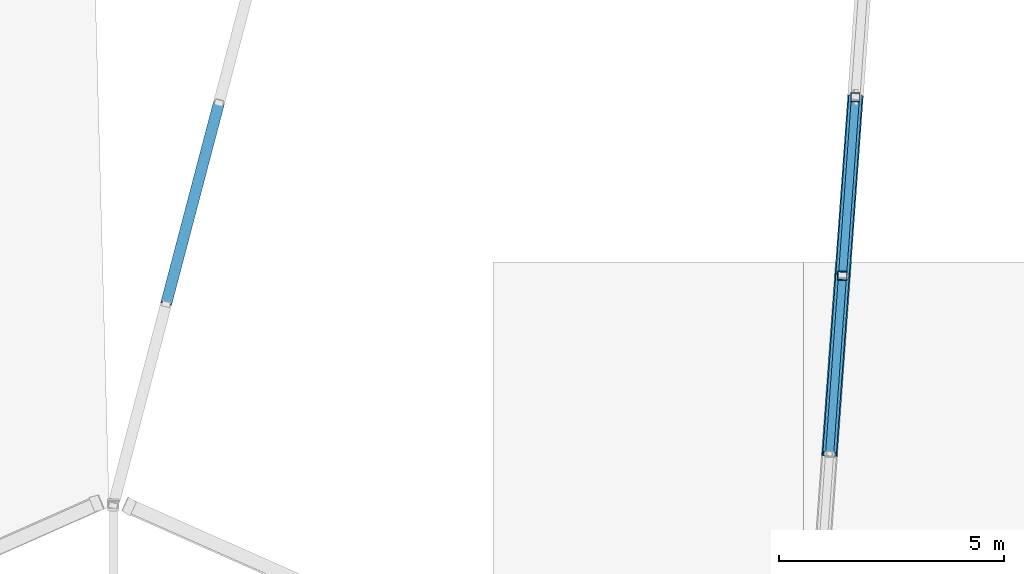
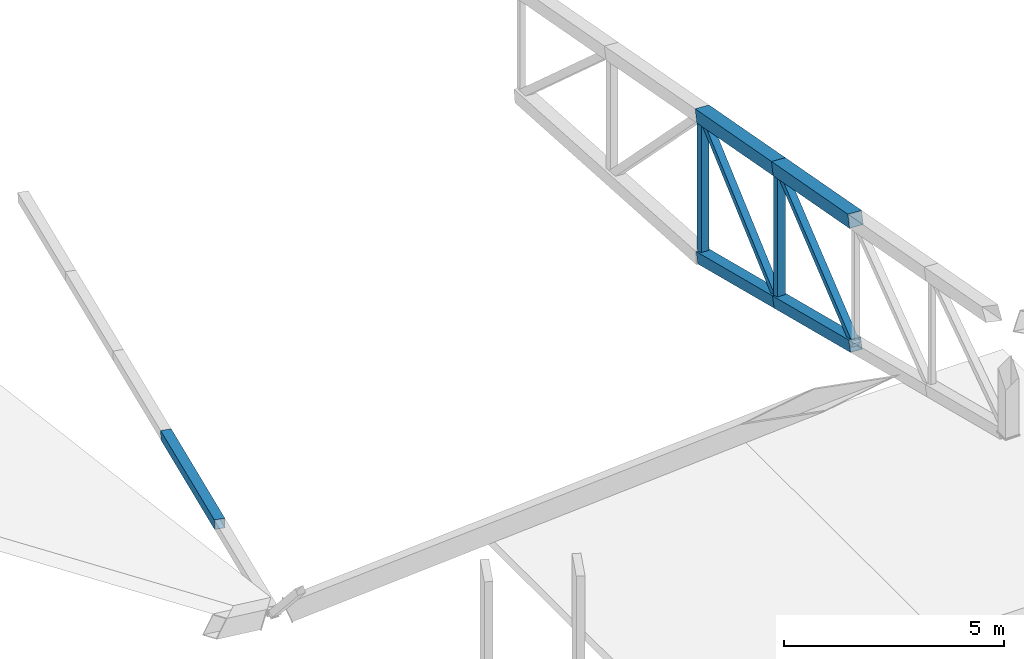
# One storey, part 21 of 188: 9 members.
"""IFC4 building model written with IfcOpenShell, lengths in metres."""

from ifc_helpers import new_model, si_unit, direction, frame, origin, origin_2d, place, context, subcontext, project, spatial, hollow_rectangle, extrude, material, material_profile, profile_set, type_object, element, save


model = new_model("IFC4")

# Units and contexts
model_context = context("Model", 3, precision=1e-05, world=origin(), true_north=direction((0.0, 1.0)))
body_context = subcontext(model_context, "Body", "Model", "MODEL_VIEW")
ifc_project = project(units=[si_unit("LENGTHUNIT", "METRE"), si_unit("AREAUNIT", "SQUARE_METRE"), si_unit("VOLUMEUNIT", "CUBIC_METRE"), si_unit("PLANEANGLEUNIT", "RADIAN"), si_unit("MASSUNIT", "GRAM", prefix="KILO")], contexts=[model_context])

# Site, building, storey
site_placement = place(None, origin())
site = spatial("IfcSite", under=ifc_project, at=site_placement, CompositionType="ELEMENT")
building_placement = place(site_placement, origin())
building = spatial("IfcBuilding", under=site, at=building_placement, Name="Meseta Stadium", CompositionType="ELEMENT")
storey_placement = place(building_placement, frame((0.0, 0.0, 30.0)))
storey = spatial("IfcBuildingStorey", under=building, at=storey_placement, Name="ROOF", CompositionType="ELEMENT", Elevation=30.0)

# Members
ifc_material_1 = material(Name="Steel S355", Category="steel")
ifc_material_profile_1 = material_profile(ifc_material_1, hollow_rectangle(XDim=0.179931640625, YDim=0.179931640625, WallThickness=0.00634765625, at=origin_2d()), Name="SHS 180x180x6.3")
ifc_profile_set_1 = profile_set([ifc_material_profile_1], Name="Steel S355")
member_type_1 = type_object("IfcMemberType", Name="SHS 180x180x6.3 diagonal", PredefinedType="BRACE", material=ifc_profile_set_1)
member_1_placement = place(storey_placement, frame((-6.51708984375, -89.54638671875, 6.314697265625), z_axis=(-0.06008743732, -0.82876759342, -0.556357597209), x_axis=(0.997382035302, -0.072312347884, 0.0)))
element("IfcMember", 1, at=member_1_placement, inside=storey, type_object=member_type_1, Name="ROOF TRUSS RT-46 diagonal", PredefinedType="BRACE", context=body_context, shape_type="SweptSolid", body=[
    extrude(hollow_rectangle(XDim=0.179931640625, YDim=0.179931640625, WallThickness=0.00634765625, at=origin_2d()), origin(), (0.0, 0.0, 1.0), 4.7822265625),
])
member_2_placement = place(storey_placement, frame((-6.804443359375, -93.509765625, 7.357666015625), z_axis=(-0.061717685517, -0.851253106785, -0.521113303883), x_axis=(0.997382035302, -0.072312347884, 0.0)))
element("IfcMember", 2, at=member_2_placement, inside=storey, type_object=member_type_1, Name="ROOF TRUSS RT-46 diagonal", PredefinedType="BRACE", context=body_context, shape_type="SweptSolid", body=[
    extrude(hollow_rectangle(XDim=0.179931640625, YDim=0.179931640625, WallThickness=0.00634765625, at=origin_2d()), origin(), (0.0, 0.0, 1.0), 4.656005859375),
])
ifc_material_2 = material(Name="Steel S355", Category="steel")
ifc_material_profile_2 = material_profile(ifc_material_2, hollow_rectangle(XDim=0.199951171875, YDim=0.199951171875, WallThickness=0.008056640625, at=origin_2d()), Name="SHS 200x200x8")
ifc_profile_set_2 = profile_set([ifc_material_profile_2], Name="Steel S355")
member_type_2 = type_object("IfcMemberType", Name="SHS 200x200x8 post", PredefinedType="POST", material=ifc_profile_set_2)
member_3_placement = place(storey_placement, frame((-6.51708984375, -89.54638671875, 2.376953125), z_axis=(0.0, 0.0, 1.0), x_axis=(1.0, 0.0, 0.0)))
element("IfcMember", 3, at=member_3_placement, inside=storey, type_object=member_type_2, Name="ROOF TRUSS RT-46 post", PredefinedType="POST", context=body_context, shape_type="SweptSolid", body=[
    extrude(hollow_rectangle(XDim=0.199951171875, YDim=0.199951171875, WallThickness=0.008056640625, at=origin_2d()), origin(), (0.0, 0.0, 1.0), 3.937744140625),
])
member_4_placement = place(storey_placement, frame((-6.804443359375, -93.509765625, 3.654052734375), z_axis=(0.0, 0.0, 1.0), x_axis=(1.0, 0.0, 0.0)))
element("IfcMember", 4, at=member_4_placement, inside=storey, type_object=member_type_2, Name="ROOF TRUSS RT-46 post", PredefinedType="POST", context=body_context, shape_type="SweptSolid", body=[
    extrude(hollow_rectangle(XDim=0.199951171875, YDim=0.199951171875, WallThickness=0.008056640625, at=origin_2d()), origin(), (0.0, 0.0, 1.0), 3.70361328125),
])
ifc_material_3 = material(Name="Steel S355", Category="steel")
ifc_material_profile_3 = material_profile(ifc_material_3, hollow_rectangle(XDim=0.25, YDim=0.25, WallThickness=0.010009765625, at=origin_2d()), Name="SHS 250x250x10")
ifc_profile_set_3 = profile_set([ifc_material_profile_3], Name="Steel S355")
member_type_3 = type_object("IfcMemberType", Name="SHS 250x250x10 top chord", PredefinedType="CHORD", material=ifc_profile_set_3)
member_5_placement = place(storey_placement, frame((-20.649658203125, -89.65625, 2.44775390625), z_axis=(-0.251688192856, -0.957858431028, 0.138420662059), x_axis=(0.967168857221, -0.25413461319, 0.0)))
element("IfcMember", 5, at=member_5_placement, inside=storey, type_object=member_type_3, Name="ROOF TRUSS RT-45 top chord", PredefinedType="CHORD", context=body_context, shape_type="SweptSolid", body=[
    extrude(hollow_rectangle(XDim=0.25, YDim=0.25, WallThickness=0.010009765625, at=origin_2d()), origin(), (0.0, 0.0, 1.0), 4.668701171875),
])
ifc_material_4 = material(Name="Steel S355", Category="steel")
ifc_material_profile_4 = material_profile(ifc_material_4, hollow_rectangle(XDim=0.300048828125, YDim=0.300048828125, WallThickness=0.010009765625, at=origin_2d()), Name="SHS 300x300x10")
ifc_profile_set_4 = profile_set([ifc_material_profile_4], Name="Steel S355")
member_type_4 = type_object("IfcMemberType", Name="SHS 300x300x10 bottom chord", PredefinedType="CHORD", material=ifc_profile_set_4)
for number, where, z_axis, x_axis, name in (
    (6, (-6.51708984375, -89.54638671875, 2.376953125), (-0.068844366818, -0.949549236129, 0.305968464592), (0.997382035302, -0.072312347884, 0.0), "ROOF TRUSS RT-46 bottom chord"),
    (7, (-6.804443359375, -93.509765625, 3.654052734375), (-0.068843134659, -0.949532241333, 0.306021478789), (0.997382035302, -0.072312347884, 0.0), "ROOF TRUSS RT-46 bottom chord"),
):
    element("IfcMember", number, at=place(storey_placement, frame(where, z_axis=z_axis, x_axis=x_axis)), inside=storey, type_object=member_type_4, Name=name, PredefinedType="CHORD", context=body_context, shape_type="SweptSolid", body=[
        extrude(hollow_rectangle(XDim=0.300048828125, YDim=0.300048828125, WallThickness=0.010009765625, at=origin_2d()), origin(), (0.0, 0.0, 1.0), 4.174072265625),
    ])
ifc_material_5 = material(Name="Steel S355", Category="steel")
ifc_material_profile_5 = material_profile(ifc_material_5, hollow_rectangle(XDim=0.35009765625, YDim=0.35009765625, WallThickness=0.010009765625, at=origin_2d()), Name="SHS 350x350x10")
ifc_profile_set_5 = profile_set([ifc_material_profile_5], Name="Steel S355")
member_type_5 = type_object("IfcMemberType", Name="SHS 350x350x10 top chord", PredefinedType="CHORD", material=ifc_profile_set_5)
member_6_placement = place(storey_placement, frame((-6.804443359375, -93.509765625, 7.357666015625), z_axis=(-0.069944441371, -0.964722227037, 0.253808588867), x_axis=(0.997382035302, -0.072312347884, 0.0)))
element("IfcMember", 8, at=member_6_placement, inside=storey, type_object=member_type_5, Name="ROOF TRUSS RT-46 top chord", PredefinedType="CHORD", context=body_context, shape_type="SweptSolid", body=[
    extrude(hollow_rectangle(XDim=0.35009765625, YDim=0.35009765625, WallThickness=0.010009765625, at=origin_2d()), origin(), (0.0, 0.0, 1.0), 4.1083984375),
])
ifc_material_6 = material(Name="Steel S355", Category="steel")
ifc_material_profile_6 = material_profile(ifc_material_6, hollow_rectangle(XDim=0.35009765625, YDim=0.35009765625, WallThickness=0.01416015625, at=origin_2d()), Name="SHS 350x350x14.2")
ifc_profile_set_6 = profile_set([ifc_material_profile_6], Name="Steel S355")
member_type_6 = type_object("IfcMemberType", Name="SHS 350x350x14.2 top chord", PredefinedType="CHORD", material=ifc_profile_set_6)
member_7_placement = place(storey_placement, frame((-6.51708984375, -89.54638671875, 6.314697265625), z_axis=(-0.069943386311, -0.964707674914, 0.253864185489), x_axis=(0.997382035302, -0.072312347884, 0.0)))
element("IfcMember", 9, at=member_7_placement, inside=storey, type_object=member_type_6, Name="ROOF TRUSS RT-46 top chord", PredefinedType="CHORD", context=body_context, shape_type="SweptSolid", body=[
    extrude(hollow_rectangle(XDim=0.35009765625, YDim=0.35009765625, WallThickness=0.01416015625, at=origin_2d()), origin(), (0.0, 0.0, 1.0), 4.1083984375),
])

save(model, "model.ifc")
